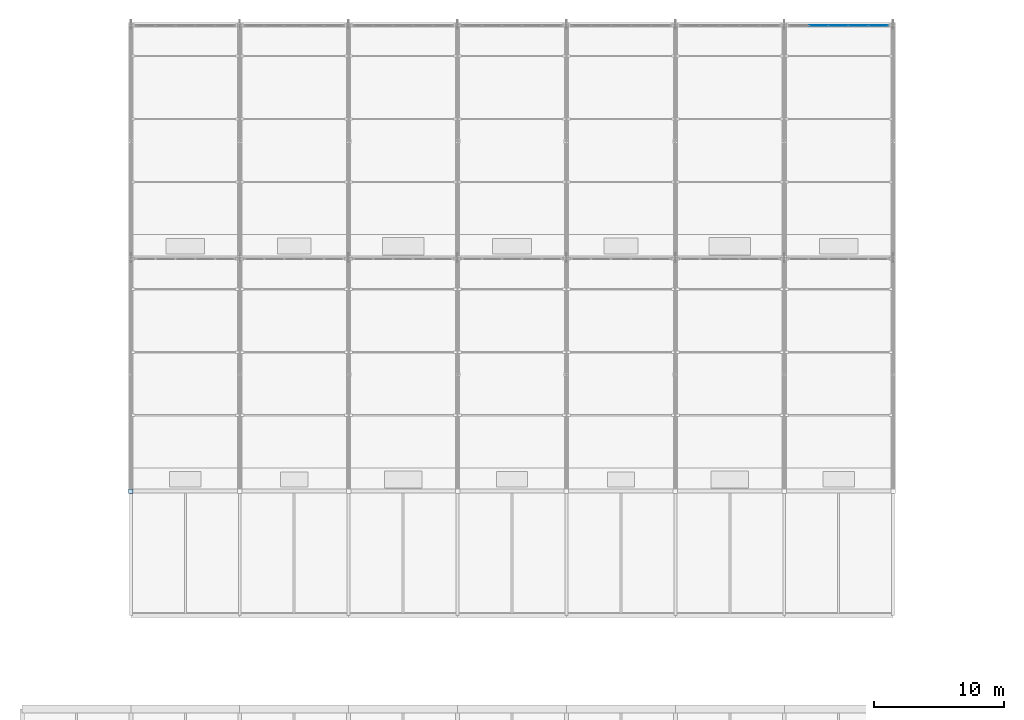
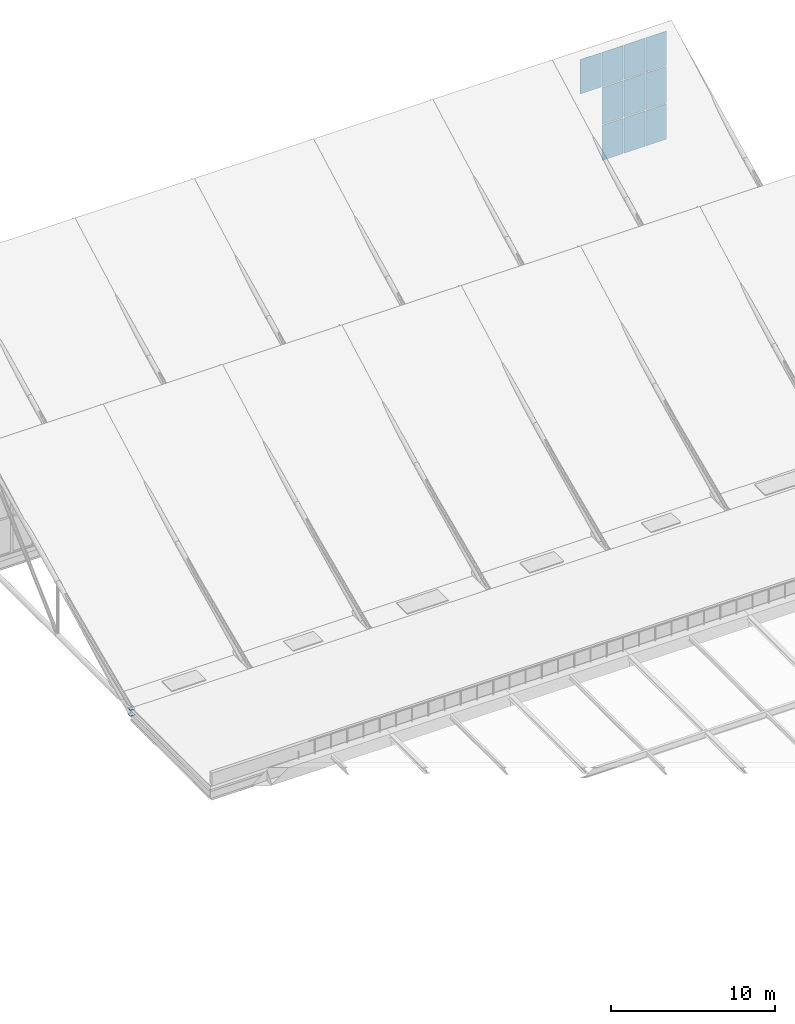
# One storey, part 33 of 38: 12 plates, 1 element without a shape of its own.
"""IFC4 building model written with IfcOpenShell, lengths in metres."""

from ifc_helpers import new_model, si_unit, direction, frame, origin, origin_2d, place, context, subcontext, project, spatial, rectangle, extrude, material, layer, layer_set, type_object, element, aggregate, save


model = new_model("IFC4")

# Units and contexts
model_context = context("Model", 3, precision=1e-05, world=origin(), true_north=direction((0.0, 1.0)))
body_context = subcontext(model_context, "Body", "Model", "MODEL_VIEW")
ifc_project = project(units=[si_unit("LENGTHUNIT", "METRE"), si_unit("AREAUNIT", "SQUARE_METRE"), si_unit("VOLUMEUNIT", "CUBIC_METRE"), si_unit("PLANEANGLEUNIT", "RADIAN"), si_unit("MASSUNIT", "GRAM", prefix="KILO")], contexts=[model_context])

# Site, building, storey
site_placement = place(None, origin())
site = spatial("IfcSite", under=ifc_project, at=site_placement, CompositionType="ELEMENT")
building_placement = place(site_placement, origin())
building = spatial("IfcBuilding", under=site, at=building_placement, Name="Veltarok Museum of Natural Sciences", CompositionType="ELEMENT")
storey_placement = place(building_placement, frame((0.0, 0.0, 31.199951171875)))
storey = spatial("IfcBuildingStorey", under=building, at=storey_placement, Name="RF", CompositionType="ELEMENT", Elevation=31.199951171875)

# Plates
ifc_material_1 = material(Name="Steel S355J2", Category="steel")
ifc_layer_1 = layer(ifc_material_1, 0.02001953125)
ifc_layer_set_1 = layer_set([ifc_layer_1], Name="Steel S355J2")
plate_type_1 = type_object("IfcPlateType", Name="Hollow End Closure Plate D340x20", PredefinedType="USERDEFINED", material=ifc_layer_set_1)
for number, where, z_axis, x_axis, name in (
    (1, (40.0, 36.00390625, -5.81005859375), (0.0, 0.0, 1.0), (0.0, 1.0, 0.0), "End Cap Plate CP-324 208"),
    (2, (40.0, 36.003662109375, -6.25830078125), (0.0, 0.0, 1.0), (0.0, 1.0, 0.0), "End Cap Plate CP-324 211"),
):
    element("IfcPlate", number, at=place(storey_placement, frame(where, z_axis=z_axis, x_axis=x_axis)), inside=storey, type_object=plate_type_1, Name=name, ObjectType="END CAP PLATE", PredefinedType="USERDEFINED", context=body_context, shape_type="SweptSolid", body=[
        extrude(rectangle(XDim=0.340087890625, YDim=0.340087890625, at=origin_2d()), origin(), (0.0, 0.0, 1.0), 0.02001953125),
    ])

# Curtain wall, plates
ifc_material_2 = material(Name="Low-iron triple insulated glass", Category="glass")
curtain_wall_type = type_object("IfcCurtainWallType", Name="Curtain Wall System CW-SAW-M2-768x817 (Sawtooth North Clerestory M2 768x817cm)", PredefinedType="NOTDEFINED", material=ifc_material_2)
curtain_wall_placement = place(storey_placement, origin())
curtain_wall = element("IfcCurtainWall", 3, at=curtain_wall_placement, inside=storey, type_object=curtain_wall_type, Name="Curtain Wall CW-SAW-M2-768x817 CW-SAW-0085", PredefinedType="NOTDEFINED")
ifc_layer_2 = layer(ifc_material_2, 0.031982421875)
ifc_layer_set_2 = layer_set([ifc_layer_2], Name="Low-iron triple insulated glass")
plate_type_2 = type_object("IfcPlateType", Name="North-Light Diffusing Triple Glazed Panel 32", PredefinedType="CURTAIN_PANEL", material=ifc_layer_set_2)
plate_1_placement = place(storey_placement, frame((97.656982421875, 71.919921875, -5.659912109375), z_axis=(0.0, 0.0, 1.0), x_axis=(-1.0, 0.0, 0.0)))
plate_1 = element("IfcPlate", 4, at=plate_1_placement, type_object=plate_type_2, Name="CW-SAW-M2-768x817 panel 1.1", PredefinedType="CURTAIN_PANEL", context=body_context, shape_type="SweptSolid", body=[
    extrude(rectangle(XDim=1.446044921875, YDim=0.031982421875, at=origin_2d()), origin(), (0.0, 0.0, 1.0), 2.6298828125),
])
plate_2_placement = place(storey_placement, frame((97.656982421875, 71.919921875, -2.9697265625), z_axis=(0.0, 0.0, 1.0), x_axis=(-1.0, 0.0, 0.0)))
plate_2 = element("IfcPlate", 5, at=plate_2_placement, type_object=plate_type_2, Name="CW-SAW-M2-768x817 panel 1.2", PredefinedType="CURTAIN_PANEL", context=body_context, shape_type="SweptSolid", body=[
    extrude(rectangle(XDim=1.446044921875, YDim=0.031982421875, at=origin_2d()), origin(), (0.0, 0.0, 1.0), 2.739990234375),
])
plate_3_placement = place(storey_placement, frame((97.656982421875, 71.919921875, -0.169921875), z_axis=(0.0, 0.0, 1.0), x_axis=(-1.0, 0.0, 0.0)))
plate_3 = element("IfcPlate", 6, at=plate_3_placement, type_object=plate_type_2, Name="CW-SAW-M2-768x817 panel 1.3", PredefinedType="CURTAIN_PANEL", context=body_context, shape_type="SweptSolid", body=[
    extrude(rectangle(XDim=1.446044921875, YDim=0.031982421875, at=origin_2d()), origin(), (0.0, 0.0, 1.0), 2.56005859375),
])
plate_4_placement = place(storey_placement, frame((96.135986328125, 71.919921875, -5.659912109375), z_axis=(0.0, 0.0, 1.0), x_axis=(-1.0, 0.0, 0.0)))
plate_4 = element("IfcPlate", 7, at=plate_4_placement, type_object=plate_type_2, Name="CW-SAW-M2-768x817 panel 2.1", PredefinedType="CURTAIN_PANEL", context=body_context, shape_type="SweptSolid", body=[
    extrude(rectangle(XDim=1.47607421875, YDim=0.031982421875, at=origin_2d()), origin(), (0.0, 0.0, 1.0), 2.6298828125),
])
plate_5_placement = place(storey_placement, frame((96.135986328125, 71.919921875, -2.9697265625), z_axis=(0.0, 0.0, 1.0), x_axis=(-1.0, 0.0, 0.0)))
plate_5 = element("IfcPlate", 8, at=plate_5_placement, type_object=plate_type_2, Name="CW-SAW-M2-768x817 panel 2.2", PredefinedType="CURTAIN_PANEL", context=body_context, shape_type="SweptSolid", body=[
    extrude(rectangle(XDim=1.47607421875, YDim=0.031982421875, at=origin_2d()), origin(), (0.0, 0.0, 1.0), 2.739990234375),
])
plate_6_placement = place(storey_placement, frame((96.135986328125, 71.919921875, -0.169921875), z_axis=(0.0, 0.0, 1.0), x_axis=(-1.0, 0.0, 0.0)))
plate_6 = element("IfcPlate", 9, at=plate_6_placement, type_object=plate_type_2, Name="CW-SAW-M2-768x817 panel 2.3", PredefinedType="CURTAIN_PANEL", context=body_context, shape_type="SweptSolid", body=[
    extrude(rectangle(XDim=1.47607421875, YDim=0.031982421875, at=origin_2d()), origin(), (0.0, 0.0, 1.0), 2.56005859375),
])
plate_7_placement = place(storey_placement, frame((94.60009765625, 71.919921875, -5.659912109375), z_axis=(0.0, 0.0, 1.0), x_axis=(-1.0, 0.0, 0.0)))
plate_7 = element("IfcPlate", 10, at=plate_7_placement, type_object=plate_type_2, Name="CW-SAW-M2-768x817 panel 3.1", PredefinedType="CURTAIN_PANEL", context=body_context, shape_type="SweptSolid", body=[
    extrude(rectangle(XDim=1.47607421875, YDim=0.031982421875, at=origin_2d()), origin(), (0.0, 0.0, 1.0), 2.6298828125),
])
plate_8_placement = place(storey_placement, frame((94.60009765625, 71.919921875, -2.9697265625), z_axis=(0.0, 0.0, 1.0), x_axis=(-1.0, 0.0, 0.0)))
plate_8 = element("IfcPlate", 11, at=plate_8_placement, type_object=plate_type_2, Name="CW-SAW-M2-768x817 panel 3.2", PredefinedType="CURTAIN_PANEL", context=body_context, shape_type="SweptSolid", body=[
    extrude(rectangle(XDim=1.47607421875, YDim=0.031982421875, at=origin_2d()), origin(), (0.0, 0.0, 1.0), 2.739990234375),
])
plate_9_placement = place(storey_placement, frame((94.60009765625, 71.919921875, -0.169921875), z_axis=(0.0, 0.0, 1.0), x_axis=(-1.0, 0.0, 0.0)))
plate_9 = element("IfcPlate", 12, at=plate_9_placement, type_object=plate_type_2, Name="CW-SAW-M2-768x817 panel 3.3", PredefinedType="CURTAIN_PANEL", context=body_context, shape_type="SweptSolid", body=[
    extrude(rectangle(XDim=1.47607421875, YDim=0.031982421875, at=origin_2d()), origin(), (0.0, 0.0, 1.0), 2.56005859375),
])
plate_10_placement = place(storey_placement, frame((93.06396484375, 71.919921875, -0.169921875), z_axis=(0.0, 0.0, 1.0), x_axis=(-1.0, 0.0, 0.0)))
plate_10 = element("IfcPlate", 13, at=plate_10_placement, type_object=plate_type_2, Name="CW-SAW-M2-768x817 panel 4.3", PredefinedType="CURTAIN_PANEL", context=body_context, shape_type="SweptSolid", body=[
    extrude(rectangle(XDim=1.47607421875, YDim=0.031982421875, at=origin_2d()), origin(), (0.0, 0.0, 1.0), 2.56005859375),
])
aggregate(curtain_wall, [plate_1, plate_2, plate_3, plate_4, plate_5, plate_6, plate_7, plate_8, plate_9, plate_10])

save(model, "model.ifc")
